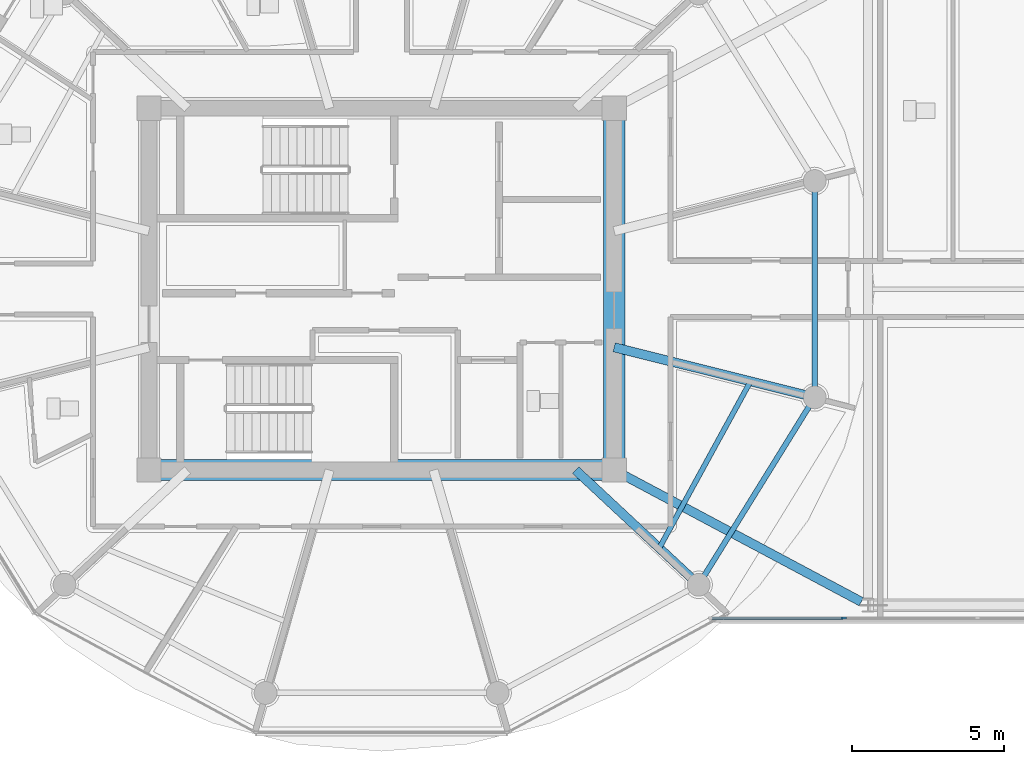
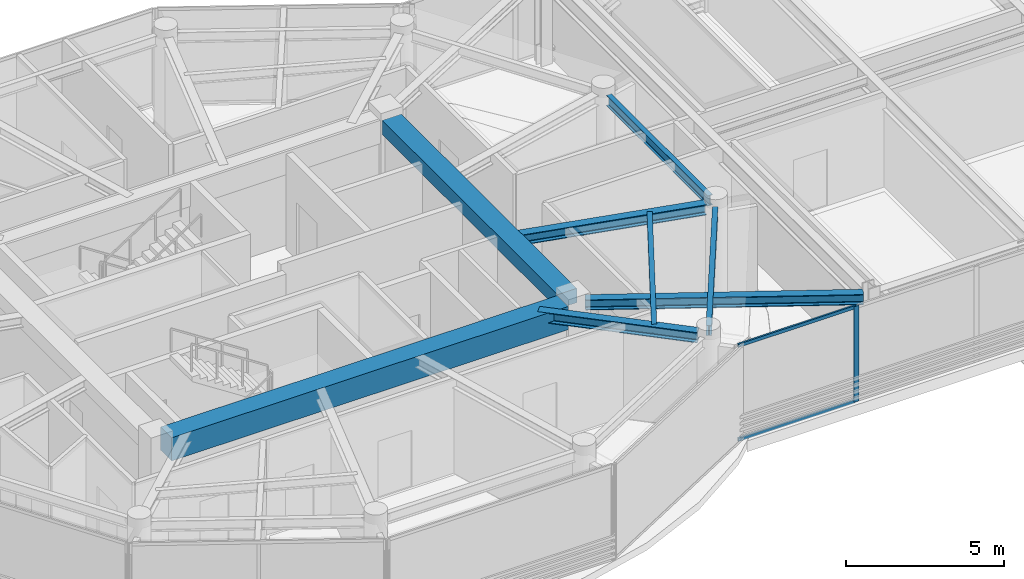
# One storey, part 4 of 31: 8 beams, 3 members, 1 element without a shape of its own.
"""IFC4 building model written with IfcOpenShell, lengths in metres."""

from ifc_helpers import new_model, si_unit, direction, frame, origin, origin_2d, place, context, subcontext, project, spatial, rectangle, i_section, extrude, source, transform, mapped, material, layer, layer_set, material_profile, profile_set, type_object, type_shapes, element, aggregate, save


model = new_model("IFC4")

# Units and contexts
model_context = context("Model", 3, precision=1e-05, world=origin(), true_north=direction((0.0, 1.0)))
body_context = subcontext(model_context, "Body", "Model", "MODEL_VIEW")
ifc_project = project(units=[si_unit("LENGTHUNIT", "METRE"), si_unit("AREAUNIT", "SQUARE_METRE"), si_unit("VOLUMEUNIT", "CUBIC_METRE"), si_unit("PLANEANGLEUNIT", "RADIAN"), si_unit("MASSUNIT", "GRAM", prefix="KILO")], contexts=[model_context])

# Site, building, storey
site_placement = place(None, origin())
site = spatial("IfcSite", under=ifc_project, at=site_placement, CompositionType="ELEMENT")
building_placement = place(site_placement, origin())
building = spatial("IfcBuilding", under=site, at=building_placement, Name="Norrkilde Senior Care Towers", CompositionType="ELEMENT")
storey_placement = place(building_placement, frame((0.0, 0.0, 199.800048828125)))
storey = spatial("IfcBuildingStorey", under=building, at=storey_placement, Name="L62", CompositionType="ELEMENT", Elevation=199.800048828125)

# Beams
ifc_material_1 = material(Name="Concrete C60/75", Category="concrete")
ifc_material_profile_1 = material_profile(ifc_material_1, rectangle(XDim=0.699951171875, YDim=0.89990234375, at=origin_2d()), Name="RC BM 700x900")
ifc_profile_set_1 = profile_set([ifc_material_profile_1], Name="Concrete C60/75")
beam_type_1 = type_object("IfcBeamType", Name="Core Coupling Girder 700x900", PredefinedType="USERDEFINED", material=ifc_profile_set_1)
shared_shape_1 = source(origin(), body_context, "Body", "SweptSolid", [
    extrude(rectangle(XDim=0.699951171875, YDim=0.89990234375, at=origin_2d()), origin(), (0.0, 0.0, 1.0), 14.5400390625),
])
type_shapes(beam_type_1, [shared_shape_1])
beam_1_placement = place(storey_placement, frame((-35.27001953125, -5.949951171875, 3.260009765625), z_axis=(1.0, 0.0, 0.0), x_axis=(0.0, 1.0, 0.0)))
element("IfcBeam", 1, at=beam_1_placement, inside=storey, type_object=beam_type_1, Name="L62 Core W S Coupling Girder", ObjectType="GIRDER", PredefinedType="USERDEFINED", context=body_context, shape_type="MappedRepresentation", body=[
    mapped(shared_shape_1, transform((0.0, 0.0, 0.0), x_axis=(1.0, 0.0, 0.0), y_axis=(0.0, 1.0, 0.0), z_axis=(0.0, 0.0, 1.0), scale=1.0)),
])
ifc_material_profile_2 = material_profile(ifc_material_1, rectangle(XDim=0.699951171875, YDim=0.550048828125, at=origin_2d()), Name="RC BM 700x550")
ifc_profile_set_2 = profile_set([ifc_material_profile_2], Name="Concrete C60/75")
beam_type_2 = type_object("IfcBeamType", Name="Core Portal Coupling Beam 700x550", PredefinedType="USERDEFINED", material=ifc_profile_set_2)
shared_shape_2 = source(origin(), body_context, "Body", "SweptSolid", [
    extrude(rectangle(XDim=0.699951171875, YDim=0.550048828125, at=origin_2d()), origin(), (0.0, 0.0, 1.0), 11.14013671875),
])
type_shapes(beam_type_2, [shared_shape_2])
beam_2_placement = place(storey_placement, frame((-20.35009765625, -5.570068359375, 3.43505859375), z_axis=(0.0, 1.0, 0.0), x_axis=(-1.0, 0.0, 0.0)))
element("IfcBeam", 2, at=beam_2_placement, inside=storey, type_object=beam_type_2, Name="L62 Core W E Coupling Girder", ObjectType="GIRDER", PredefinedType="USERDEFINED", context=body_context, shape_type="MappedRepresentation", body=[
    mapped(shared_shape_2, transform((0.0, 0.0, 0.0), x_axis=(1.0, 0.0, 0.0), y_axis=(0.0, 1.0, 0.0), z_axis=(0.0, 0.0, 1.0), scale=1.0)),
])
ifc_material_2 = material(Name="Steel S355", Category="steel")
ifc_material_profile_3 = material_profile(ifc_material_2, i_section(OverallWidth=0.179931640625, OverallDepth=0.39990234375, WebThickness=0.008544921875, FlangeThickness=0.013427734375, FilletRadius=0.02099609375, at=origin_2d()), Name="IPE 400")
ifc_profile_set_3 = profile_set([ifc_material_profile_3], Name="Steel S355")
beam_type_3 = type_object("IfcBeamType", Name="Perimeter Ring Spandrel Z4 IPE400", PredefinedType="SPANDREL", material=ifc_profile_set_3)
shared_shape_3 = source(origin(), body_context, "Body", "SweptSolid", [
    extrude(i_section(OverallWidth=0.179931640625, OverallDepth=0.39990234375, WebThickness=0.008544921875, FlangeThickness=0.013427734375, FilletRadius=0.02099609375, at=origin_2d()), origin(), (0.0, 0.0, 1.0), 6.58056640625),
])
beam_3_placement = place(storey_placement, frame((-17.393798828125, -9.43798828125, 3.510009765625), z_axis=(0.526529583789, 0.850156807533, 0.0), x_axis=(-0.850156807533, 0.526529583789, 0.0)))
element("IfcBeam", 3, at=beam_3_placement, inside=storey, type_object=beam_type_3, Name="L62 Drum W Perimeter Spandrel 11", PredefinedType="SPANDREL", context=body_context, shape_type="MappedRepresentation", body=[
    mapped(shared_shape_3, transform((0.0, 0.0, 0.0), x_axis=(1.0, 0.0, 0.0), y_axis=(0.0, 1.0, 0.0), z_axis=(0.0, 0.0, 1.0), scale=1.0)),
])
ifc_material_profile_4 = material_profile(ifc_material_2, i_section(OverallWidth=0.300048828125, OverallDepth=0.39990234375, WebThickness=0.013427734375, FlangeThickness=0.02392578125, FilletRadius=0.027099609375, at=origin_2d()), Name="HEB 400")
ifc_profile_set_4 = profile_set([ifc_material_profile_4], Name="Steel S355")
beam_type_4 = type_object("IfcBeamType", Name="Radial Floor Beam Z4 HEB400", PredefinedType="BEAM", material=ifc_profile_set_4)
shared_shape_4 = source(origin(), body_context, "Body", "SweptSolid", [
    extrude(i_section(OverallWidth=0.300048828125, OverallDepth=0.39990234375, WebThickness=0.013427734375, FlangeThickness=0.02392578125, FilletRadius=0.027099609375, at=origin_2d()), origin(), (0.0, 0.0, 1.0), 6.465087890625),
])
beam_4_placement = place(storey_placement, frame((-20.35009765625, -1.910888671875, 3.510009765625), z_axis=(0.970195788563, -0.242322371758, 0.0), x_axis=(0.242322371758, 0.970195788563, 0.0)))
element("IfcBeam", 4, at=beam_4_placement, inside=storey, type_object=beam_type_4, Name="L62 Drum W Radial Floor Beam 12", PredefinedType="BEAM", context=body_context, shape_type="MappedRepresentation", body=[
    mapped(shared_shape_4, transform((0.0, 0.0, 0.0), x_axis=(1.0, 0.0, 0.0), y_axis=(0.0, 1.0, 0.0), z_axis=(0.0, 0.0, 1.0), scale=1.0)),
])
shared_shape_5 = source(origin(), body_context, "Body", "SweptSolid", [
    extrude(i_section(OverallWidth=0.300048828125, OverallDepth=0.39990234375, WebThickness=0.013427734375, FlangeThickness=0.02392578125, FilletRadius=0.027099609375, at=origin_2d()), origin(), (0.0, 0.0, 1.0), 5.197998046875),
])
beam_5_placement = place(storey_placement, frame((-21.6171875, -5.949951171875, 3.510009765625), z_axis=(0.731448749334, -0.681896419625, 0.0), x_axis=(0.681896419625, 0.731448749334, 0.0)))
element("IfcBeam", 5, at=beam_5_placement, inside=storey, type_object=beam_type_4, Name="L62 Drum W Radial Floor Beam 11", PredefinedType="BEAM", context=body_context, shape_type="MappedRepresentation", body=[
    mapped(shared_shape_5, transform((0.0, 0.0, 0.0), x_axis=(1.0, 0.0, 0.0), y_axis=(0.0, 1.0, 0.0), z_axis=(0.0, 0.0, 1.0), scale=1.0)),
])
shared_shape_6 = source(origin(), body_context, "Body", "SweptSolid", [
    extrude(i_section(OverallWidth=0.179931640625, OverallDepth=0.39990234375, WebThickness=0.008544921875, FlangeThickness=0.013427734375, FilletRadius=0.02099609375, at=origin_2d()), origin(), (0.0, 0.0, 1.0), 6.44775390625),
])
type_shapes(beam_type_3, [shared_shape_3, shared_shape_6])
beam_6_placement = place(storey_placement, frame((-13.752685546875, -3.223876953125, 3.510009765625), z_axis=(0.0, 1.0, 0.0), x_axis=(-1.0, 0.0, 0.0)))
element("IfcBeam", 6, at=beam_6_placement, inside=storey, type_object=beam_type_3, Name="L62 Drum W Perimeter Spandrel 12", PredefinedType="SPANDREL", context=body_context, shape_type="MappedRepresentation", body=[
    mapped(shared_shape_6, transform((0.0, 0.0, 0.0), x_axis=(1.0, 0.0, 0.0), y_axis=(0.0, 1.0, 0.0), z_axis=(0.0, 0.0, 1.0), scale=1.0)),
])
ifc_material_profile_5 = material_profile(ifc_material_2, i_section(OverallWidth=0.169921875, OverallDepth=0.360107421875, WebThickness=0.008056640625, FlangeThickness=0.0126953125, FilletRadius=0.01806640625, at=origin_2d()), Name="IPE 360")
ifc_profile_set_5 = profile_set([ifc_material_profile_5], Name="Steel S355")
beam_type_5 = type_object("IfcBeamType", Name="Secondary Floor Joist IPE360", PredefinedType="JOIST", material=ifc_profile_set_5)
shared_shape_7 = source(origin(), body_context, "Body", "SweptSolid", [
    extrude(i_section(OverallWidth=0.169921875, OverallDepth=0.360107421875, WebThickness=0.008056640625, FlangeThickness=0.0126953125, FilletRadius=0.01806640625, at=origin_2d()), origin(), (0.0, 0.0, 1.0), 6.25146484375),
])
type_shapes(beam_type_5, [shared_shape_7])
beam_7_placement = place(storey_placement, frame((-18.865234375, -8.515380859375, 3.530029296875), z_axis=(0.480115752653, 0.877205143655, 0.0), x_axis=(-0.877205143655, 0.480115752653, 0.0)))
element("IfcBeam", 7, at=beam_7_placement, inside=storey, type_object=beam_type_5, Name="L62 Drum W Secondary Floor Joist 4", PredefinedType="JOIST", context=body_context, shape_type="MappedRepresentation", body=[
    mapped(shared_shape_7, transform((0.0, 0.0, 0.0), x_axis=(1.0, 0.0, 0.0), y_axis=(0.0, 1.0, 0.0), z_axis=(0.0, 0.0, 1.0), scale=1.0)),
])
shared_shape_8 = source(origin(), body_context, "Body", "SweptSolid", [
    extrude(i_section(OverallWidth=0.300048828125, OverallDepth=0.39990234375, WebThickness=0.013427734375, FlangeThickness=0.02392578125, FilletRadius=0.027099609375, at=origin_2d()), origin(), (0.0, 0.0, 1.0), 8.831787109375),
])
type_shapes(beam_type_4, [shared_shape_4, shared_shape_5, shared_shape_8])
beam_8_placement = place(storey_placement, frame((-20.0146484375, -6.128662109375, 3.510009765625), z_axis=(0.882492172381, -0.470327083727, 0.0), x_axis=(0.470327083727, 0.882492172381, 0.0)))
element("IfcBeam", 8, at=beam_8_placement, inside=storey, type_object=beam_type_4, Name="L62 Sky-Gate Bridge Girder S1", PredefinedType="BEAM", context=body_context, shape_type="MappedRepresentation", body=[
    mapped(shared_shape_8, transform((0.0, 0.0, 0.0), x_axis=(1.0, 0.0, 0.0), y_axis=(0.0, 1.0, 0.0), z_axis=(0.0, 0.0, 1.0), scale=1.0)),
])

# Curtain wall, members
ifc_material_3 = material(Name="Triple Low-E Insulated Glazing", Category="glass")
ifc_layer = layer(ifc_material_3, 0.2099609375)
ifc_layer_set = layer_set([ifc_layer], Name="Triple Low-E Insulated Glazing")
curtain_wall_type = type_object("IfcCurtainWallType", Name="CW5 Sky-Gate Bridge Curtain Wall", PredefinedType="NOTDEFINED", material=ifc_layer_set)
curtain_wall_placement = place(storey_placement, origin())
curtain_wall = element("IfcCurtainWall", 9, at=curtain_wall_placement, inside=storey, type_object=curtain_wall_type, Name="L62 Sky-Gate Bridge South Curtain Wall 3", PredefinedType="NOTDEFINED")
ifc_material_4 = material(Name="Anodised Aluminium", Category="aluminium")
ifc_material_profile_6 = material_profile(ifc_material_4, rectangle(XDim=0.070068359375, YDim=0.169921875, at=origin_2d()), Name="ALU MULL 70x170")
ifc_profile_set_6 = profile_set([ifc_material_profile_6], Name="Anodised Aluminium")
member_type_1 = type_object("IfcMemberType", Name="Curtain Wall Mullion Heavy 70x170", PredefinedType="MULLION", material=ifc_profile_set_6)
shared_shape_9 = source(origin(), body_context, "Body", "SweptSolid", [
    extrude(rectangle(XDim=0.070068359375, YDim=0.169921875, at=origin_2d()), origin(), (0.0, 0.0, 1.0), 3.7099609375),
])
type_shapes(member_type_1, [shared_shape_9])
member_1_placement = place(storey_placement, frame((-12.800048828125, -10.820068359375, 0.0), z_axis=(0.0, 0.0, 1.0), x_axis=(0.0, -1.0, 0.0)))
member_1 = element("IfcMember", 10, at=member_1_placement, type_object=member_type_1, Name="CW-5 mullion 3", PredefinedType="MULLION", context=body_context, shape_type="MappedRepresentation", body=[
    mapped(shared_shape_9, transform((0.0, 0.0, 0.0), x_axis=(1.0, 0.0, 0.0), y_axis=(0.0, 1.0, 0.0), z_axis=(0.0, 0.0, 1.0), scale=1.0)),
])
ifc_material_profile_7 = material_profile(ifc_material_4, rectangle(XDim=0.06494140625, YDim=0.1298828125, at=origin_2d()), Name="ALU TRAN 65x130")
ifc_profile_set_7 = profile_set([ifc_material_profile_7], Name="Anodised Aluminium")
member_type_2 = type_object("IfcMemberType", Name="Curtain Wall Transom Heavy 65x130", PredefinedType="USERDEFINED", material=ifc_profile_set_7)
shared_shape_10 = source(origin(), body_context, "Body", "SweptSolid", [
    extrude(rectangle(XDim=0.06494140625, YDim=0.1298828125, at=origin_2d()), origin(), (0.0, 0.0, 1.0), 4.294921875),
])
type_shapes(member_type_2, [shared_shape_10])
member_2_placement = place(storey_placement, frame((-12.8349609375, -10.820068359375, 0.032470703125), z_axis=(-1.0, 0.0, 0.0), x_axis=(0.0, -1.0, 0.0)))
member_2 = element("IfcMember", 11, at=member_2_placement, type_object=member_type_2, Name="CW-5 transom 3.1", ObjectType="TRANSOM", PredefinedType="USERDEFINED", context=body_context, shape_type="MappedRepresentation", body=[
    mapped(shared_shape_10, transform((0.0, 0.0, 0.0), x_axis=(1.0, 0.0, 0.0), y_axis=(0.0, 1.0, 0.0), z_axis=(0.0, 0.0, 1.0), scale=1.0)),
])
member_3_placement = place(storey_placement, frame((-12.8349609375, -10.820068359375, 3.677490234375), z_axis=(-1.0, 0.0, 0.0), x_axis=(0.0, -1.0, 0.0)))
member_3 = element("IfcMember", 12, at=member_3_placement, type_object=member_type_2, Name="CW-5 transom 3.2", ObjectType="TRANSOM", PredefinedType="USERDEFINED", context=body_context, shape_type="MappedRepresentation", body=[
    mapped(shared_shape_10, transform((0.0, 0.0, 0.0), x_axis=(1.0, 0.0, 0.0), y_axis=(0.0, 1.0, 0.0), z_axis=(0.0, 0.0, 1.0), scale=1.0)),
])
aggregate(curtain_wall, [member_1, member_2, member_3])

save(model, "model.ifc")
